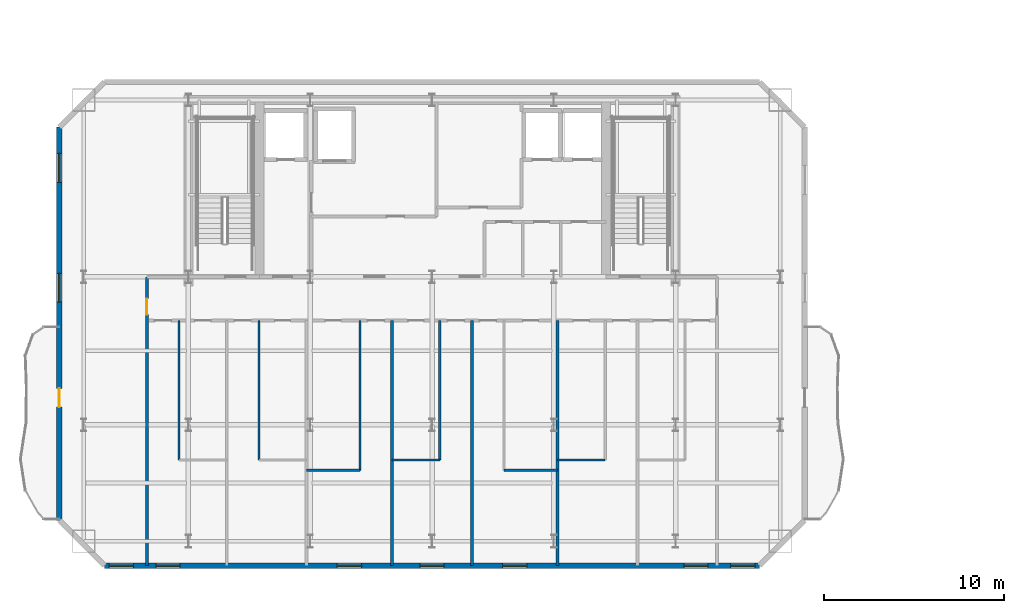
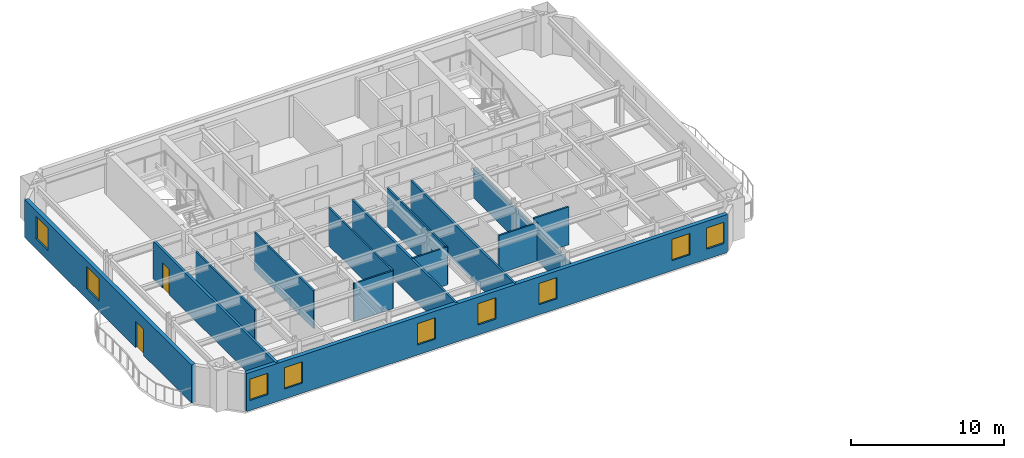
# One storey, part 5 of 14: 14 walls, 9 windows, 2 doors, 11 openings.
"""IFC4 building model written with IfcOpenShell, lengths in metres."""

from ifc_helpers import new_model, si_unit, direction, frame, frame_2d, origin, place, context, subcontext, project, spatial, rectangle, extrude, material, layer, layer_set, type_object, element, fill, save


model = new_model("IFC4")

# Units and contexts
model_context = context("Model", 3, precision=1e-05, world=origin(), true_north=direction((0.0, 1.0)))
body_context = subcontext(model_context, "Body", "Model", "MODEL_VIEW")
ifc_project = project(units=[si_unit("LENGTHUNIT", "METRE"), si_unit("AREAUNIT", "SQUARE_METRE"), si_unit("VOLUMEUNIT", "CUBIC_METRE"), si_unit("PLANEANGLEUNIT", "RADIAN"), si_unit("MASSUNIT", "GRAM", prefix="KILO")], contexts=[model_context])

# Site, building, storey
site_placement = place(None, origin())
site = spatial("IfcSite", under=ifc_project, at=site_placement, CompositionType="ELEMENT")
building_placement = place(site_placement, origin())
building = spatial("IfcBuilding", under=site, at=building_placement, Name="Haevon Station Towers", CompositionType="ELEMENT")
storey_placement = place(building_placement, frame((0.0, 0.0, 179.10009765625)))
storey = spatial("IfcBuildingStorey", under=building, at=storey_placement, Name="L49", CompositionType="ELEMENT", Elevation=179.10009765625)

# Wall, opening, door
ifc_material_1 = material(Name="Gypsum board on steel stud", Category="steel")
ifc_layer_1 = layer(ifc_material_1, 0.179931640625)
ifc_layer_set_1 = layer_set([ifc_layer_1], Name="Gypsum board on steel stud")
wall_type_1 = type_object("IfcWallType", Name="WL-ACU180", PredefinedType="PARTITIONING", material=ifc_layer_set_1)
wall_1_placement = place(storey_placement, frame((21.699951171875, 22.199951171875, 0.0), z_axis=(0.0, 0.0, 1.0), x_axis=(0.0, 1.0, 0.0)))
wall_1 = element("IfcWall", 1, at=wall_1_placement, inside=storey, type_object=wall_type_1, Name="WL-T1PT-L49-03", PredefinedType="PARTITIONING", context=body_context, shape_type="SweptSolid", body=[
    extrude(rectangle(XDim=16.0, YDim=0.179931640625, at=frame_2d((8.0, 0.0))), origin(), (0.0, 0.0, 1.0), 3.02978515625),
])
opening_1_placement = place(wall_1_placement, frame((13.89990234375, 0.0, 0.0)))
opening_1 = element("IfcOpeningElement", 2, at=opening_1_placement, cuts=wall_1, Name="Opening DR-WL-T1PT-L49-03-01", PredefinedType="OPENING", context=body_context, shape_type="SweptSolid", body=[
    extrude(rectangle(XDim=0.89990234375, YDim=2.050048828125, at=frame_2d((0.449951171875, 1.02490234375))), frame((0.0, 0.099853515625, 0.0), z_axis=(0.0, -1.0, 0.0), x_axis=(1.0, 0.0, 0.0)), (0.0, 0.0, 1.0), 0.199951171875),
])
ifc_material_2 = material(Name="Engineered oak timber", Category="wood")
door_type_1 = type_object("IfcDoorType", Name="DR-INT-900", OperationType="NOTDEFINED", PredefinedType="DOOR", material=ifc_material_2)
door_1_placement = place(opening_1_placement, origin())
door_1 = element("IfcDoor", 3, at=door_1_placement, inside=storey, type_object=door_type_1, Name="L49 Tower 1 Room Door 3-1", OperationType="SINGLE_SWING_RIGHT", OverallHeight=2.050048828125, OverallWidth=0.89990234375, PredefinedType="DOOR", context=body_context, shape_type="SweptSolid", body=[
    extrude(rectangle(XDim=0.89990234375, YDim=2.050048828125, at=frame_2d((0.449951171875, 1.02490234375))), frame((0.0, 0.02490234375, 0.0), z_axis=(0.0, -1.0, 0.0), x_axis=(1.0, 0.0, 0.0)), (0.0, 0.0, 1.0), 0.050048828125),
])
fill(opening_1, door_1)

# Wall, openings, windows
ifc_material_3 = material(Name="Precast concrete C45/55", Category="concrete")
ifc_layer_2 = layer(ifc_material_3, 0.300048828125)
ifc_layer_set_2 = layer_set([ifc_layer_2], Name="Precast concrete C45/55")
wall_type_2 = type_object("IfcWallType", Name="WL-EXT-PIER300", PredefinedType="SOLIDWALL", material=ifc_layer_set_2)
wall_2_placement = place(storey_placement, frame((55.64990234375, 22.199951171875, 0.0), z_axis=(0.0, 0.0, 1.0), x_axis=(-1.0, 0.0, 0.0)))
wall_2 = element("IfcWall", 4, at=wall_2_placement, inside=storey, type_object=wall_type_2, Name="WL-T1-L49-S", PredefinedType="SOLIDWALL", context=body_context, shape_type="SweptSolid", body=[
    extrude(rectangle(XDim=36.2998046875, YDim=0.300048828125, at=frame_2d((18.14990234375, 0.0))), origin(), (0.0, 0.0, 1.0), 3.02978515625),
])
opening_2_placement = place(wall_2_placement, frame((34.699951171875, 0.0, 0.800048828125)))
opening_2 = element("IfcOpeningElement", 5, at=opening_2_placement, cuts=wall_2, Name="Opening WN-P135", PredefinedType="OPENING", context=body_context, shape_type="SweptSolid", body=[
    extrude(rectangle(XDim=1.35009765625, YDim=1.699951171875, at=frame_2d((0.675048828125, 0.85009765625))), frame((0.0, 0.159912109375, 0.0), z_axis=(0.0, -1.0, 0.0), x_axis=(1.0, 0.0, 0.0)), (0.0, 0.0, 1.0), 0.320068359375),
])
opening_3_placement = place(wall_2_placement, frame((0.25, 0.0, 0.800048828125)))
opening_3 = element("IfcOpeningElement", 6, at=opening_3_placement, cuts=wall_2, Name="Opening WN-P135", PredefinedType="OPENING", context=body_context, shape_type="SweptSolid", body=[
    extrude(rectangle(XDim=1.35009765625, YDim=1.699951171875, at=frame_2d((0.675048828125, 0.85009765625))), frame((0.0, 0.159912109375, 0.0), z_axis=(0.0, -1.0, 0.0), x_axis=(1.0, 0.0, 0.0)), (0.0, 0.0, 1.0), 0.320068359375),
])
opening_4_placement = place(wall_2_placement, frame((32.104248046875, 0.0, 0.800048828125)))
opening_4 = element("IfcOpeningElement", 7, at=opening_4_placement, cuts=wall_2, Name="Opening WN-P135", PredefinedType="OPENING", context=body_context, shape_type="SweptSolid", body=[
    extrude(rectangle(XDim=1.35009765625, YDim=1.699951171875, at=frame_2d((0.675048828125, 0.85009765625))), frame((0.0, 0.159912109375, 0.0), z_axis=(0.0, -1.0, 0.0), x_axis=(1.0, 0.0, 0.0)), (0.0, 0.0, 1.0), 0.320068359375),
])
opening_5_placement = place(wall_2_placement, frame((22.056884765625, 0.0, 0.800048828125)))
opening_5 = element("IfcOpeningElement", 8, at=opening_5_placement, cuts=wall_2, Name="Opening WN-P135", PredefinedType="OPENING", context=body_context, shape_type="SweptSolid", body=[
    extrude(rectangle(XDim=1.35009765625, YDim=1.699951171875, at=frame_2d((0.675048828125, 0.85009765625))), frame((0.0, 0.159912109375, 0.0), z_axis=(0.0, -1.0, 0.0), x_axis=(1.0, 0.0, 0.0)), (0.0, 0.0, 1.0), 0.320068359375),
])
opening_6_placement = place(wall_2_placement, frame((17.47509765625, 0.0, 0.800048828125)))
opening_6 = element("IfcOpeningElement", 9, at=opening_6_placement, cuts=wall_2, Name="Opening WN-P135", PredefinedType="OPENING", context=body_context, shape_type="SweptSolid", body=[
    extrude(rectangle(XDim=1.35009765625, YDim=1.699951171875, at=frame_2d((0.675048828125, 0.85009765625))), frame((0.0, 0.159912109375, 0.0), z_axis=(0.0, -1.0, 0.0), x_axis=(1.0, 0.0, 0.0)), (0.0, 0.0, 1.0), 0.320068359375),
])
opening_7_placement = place(wall_2_placement, frame((12.89306640625, 0.0, 0.800048828125)))
opening_7 = element("IfcOpeningElement", 10, at=opening_7_placement, cuts=wall_2, Name="Opening WN-P135", PredefinedType="OPENING", context=body_context, shape_type="SweptSolid", body=[
    extrude(rectangle(XDim=1.35009765625, YDim=1.699951171875, at=frame_2d((0.675048828125, 0.85009765625))), frame((0.0, 0.159912109375, 0.0), z_axis=(0.0, -1.0, 0.0), x_axis=(1.0, 0.0, 0.0)), (0.0, 0.0, 1.0), 0.320068359375),
])
opening_8_placement = place(wall_2_placement, frame((2.845703125, 0.0, 0.800048828125)))
opening_8 = element("IfcOpeningElement", 11, at=opening_8_placement, cuts=wall_2, Name="Opening WN-P135", PredefinedType="OPENING", context=body_context, shape_type="SweptSolid", body=[
    extrude(rectangle(XDim=1.35009765625, YDim=1.699951171875, at=frame_2d((0.675048828125, 0.85009765625))), frame((0.0, 0.159912109375, 0.0), z_axis=(0.0, -1.0, 0.0), x_axis=(1.0, 0.0, 0.0)), (0.0, 0.0, 1.0), 0.320068359375),
])
ifc_material_4 = material(Name="Low-E triple glazing in thermally broken aluminium", Category="aluminium")
window_type_1 = type_object("IfcWindowType", Name="WN-P135", PartitioningType="SINGLE_PANEL", PredefinedType="WINDOW", material=ifc_material_4)
window_1_placement = place(opening_2_placement, origin())
window_1 = element("IfcWindow", 12, at=window_1_placement, inside=storey, type_object=window_type_1, Name="WN-T1-L49-S01", OverallHeight=1.699951171875, OverallWidth=1.35009765625, PartitioningType="SINGLE_PANEL", PredefinedType="WINDOW", context=body_context, shape_type="SweptSolid", body=[
    extrude(rectangle(XDim=1.35009765625, YDim=1.699951171875, at=frame_2d((0.675048828125, 0.85009765625))), frame((0.0, 0.030029296875, 0.0), z_axis=(0.0, -1.0, 0.0), x_axis=(1.0, 0.0, 0.0)), (0.0, 0.0, 1.0), 0.06005859375),
])
fill(opening_2, window_1)
window_2_placement = place(opening_3_placement, origin())
window_2 = element("IfcWindow", 13, at=window_2_placement, inside=storey, type_object=window_type_1, Name="WN-T1-L49-S02", OverallHeight=1.699951171875, OverallWidth=1.35009765625, PartitioningType="SINGLE_PANEL", PredefinedType="WINDOW", context=body_context, shape_type="SweptSolid", body=[
    extrude(rectangle(XDim=1.35009765625, YDim=1.699951171875, at=frame_2d((0.675048828125, 0.85009765625))), frame((0.0, 0.030029296875, 0.0), z_axis=(0.0, -1.0, 0.0), x_axis=(1.0, 0.0, 0.0)), (0.0, 0.0, 1.0), 0.06005859375),
])
fill(opening_3, window_2)
window_3_placement = place(opening_4_placement, origin())
window_3 = element("IfcWindow", 14, at=window_3_placement, inside=storey, type_object=window_type_1, Name="WN-T1-L49-S03", OverallHeight=1.699951171875, OverallWidth=1.35009765625, PartitioningType="SINGLE_PANEL", PredefinedType="WINDOW", context=body_context, shape_type="SweptSolid", body=[
    extrude(rectangle(XDim=1.35009765625, YDim=1.699951171875, at=frame_2d((0.675048828125, 0.85009765625))), frame((0.0, 0.030029296875, 0.0), z_axis=(0.0, -1.0, 0.0), x_axis=(1.0, 0.0, 0.0)), (0.0, 0.0, 1.0), 0.06005859375),
])
fill(opening_4, window_3)
window_4_placement = place(opening_5_placement, origin())
window_4 = element("IfcWindow", 15, at=window_4_placement, inside=storey, type_object=window_type_1, Name="WN-T1-L49-S04", OverallHeight=1.699951171875, OverallWidth=1.35009765625, PartitioningType="SINGLE_PANEL", PredefinedType="WINDOW", context=body_context, shape_type="SweptSolid", body=[
    extrude(rectangle(XDim=1.35009765625, YDim=1.699951171875, at=frame_2d((0.675048828125, 0.85009765625))), frame((0.0, 0.030029296875, 0.0), z_axis=(0.0, -1.0, 0.0), x_axis=(1.0, 0.0, 0.0)), (0.0, 0.0, 1.0), 0.06005859375),
])
fill(opening_5, window_4)
window_5_placement = place(opening_6_placement, origin())
window_5 = element("IfcWindow", 16, at=window_5_placement, inside=storey, type_object=window_type_1, Name="WN-T1-L49-S05", OverallHeight=1.699951171875, OverallWidth=1.35009765625, PartitioningType="SINGLE_PANEL", PredefinedType="WINDOW", context=body_context, shape_type="SweptSolid", body=[
    extrude(rectangle(XDim=1.35009765625, YDim=1.699951171875, at=frame_2d((0.675048828125, 0.85009765625))), frame((0.0, 0.030029296875, 0.0), z_axis=(0.0, -1.0, 0.0), x_axis=(1.0, 0.0, 0.0)), (0.0, 0.0, 1.0), 0.06005859375),
])
fill(opening_6, window_5)
window_6_placement = place(opening_7_placement, origin())
window_6 = element("IfcWindow", 17, at=window_6_placement, inside=storey, type_object=window_type_1, Name="WN-T1-L49-S06", OverallHeight=1.699951171875, OverallWidth=1.35009765625, PartitioningType="SINGLE_PANEL", PredefinedType="WINDOW", context=body_context, shape_type="SweptSolid", body=[
    extrude(rectangle(XDim=1.35009765625, YDim=1.699951171875, at=frame_2d((0.675048828125, 0.85009765625))), frame((0.0, 0.030029296875, 0.0), z_axis=(0.0, -1.0, 0.0), x_axis=(1.0, 0.0, 0.0)), (0.0, 0.0, 1.0), 0.06005859375),
])
fill(opening_7, window_6)
window_7_placement = place(opening_8_placement, origin())
window_7 = element("IfcWindow", 18, at=window_7_placement, inside=storey, type_object=window_type_1, Name="WN-T1-L49-S07", OverallHeight=1.699951171875, OverallWidth=1.35009765625, PartitioningType="SINGLE_PANEL", PredefinedType="WINDOW", context=body_context, shape_type="SweptSolid", body=[
    extrude(rectangle(XDim=1.35009765625, YDim=1.699951171875, at=frame_2d((0.675048828125, 0.85009765625))), frame((0.0, 0.030029296875, 0.0), z_axis=(0.0, -1.0, 0.0), x_axis=(1.0, 0.0, 0.0)), (0.0, 0.0, 1.0), 0.06005859375),
])
fill(opening_8, window_7)

# Wall, openings, door, windows
wall_3_placement = place(storey_placement, frame((16.85009765625, 24.699951171875, 0.0), z_axis=(0.0, 0.0, 1.0), x_axis=(0.0, 1.0, 0.0)))
wall_3 = element("IfcWall", 19, at=wall_3_placement, inside=storey, type_object=wall_type_2, Name="WL-T1-L49-W", PredefinedType="SOLIDWALL", context=body_context, shape_type="SweptSolid", body=[
    extrude(rectangle(XDim=21.800048828125, YDim=0.300048828125, at=frame_2d((10.89990234375, 0.0))), origin(), (0.0, 0.0, 1.0), 3.02978515625),
])
opening_9_placement = place(wall_3_placement, frame((6.27490234375, 0.0, 0.0)))
opening_9 = element("IfcOpeningElement", 20, at=opening_9_placement, cuts=wall_3, Name="Opening DR-T1-SCAL-L49-W", PredefinedType="OPENING", context=body_context, shape_type="SweptSolid", body=[
    extrude(rectangle(XDim=1.050048828125, YDim=2.10009765625, at=frame_2d((0.52490234375, 1.050048828125))), frame((0.0, 0.159912109375, 0.0), z_axis=(0.0, -1.0, 0.0), x_axis=(1.0, 0.0, 0.0)), (0.0, 0.0, 1.0), 0.320068359375),
])
opening_10_placement = place(wall_3_placement, frame((12.093017578125, 0.0, 0.800048828125)))
opening_10 = element("IfcOpeningElement", 21, at=opening_10_placement, cuts=wall_3, Name="Opening WN-END160", PredefinedType="OPENING", context=body_context, shape_type="SweptSolid", body=[
    extrude(rectangle(XDim=1.60009765625, YDim=1.800048828125, at=frame_2d((0.800048828125, 0.89990234375))), frame((0.0, 0.159912109375, 0.0), z_axis=(0.0, -1.0, 0.0), x_axis=(1.0, 0.0, 0.0)), (0.0, 0.0, 1.0), 0.320068359375),
])
opening_11_placement = place(wall_3_placement, frame((18.735595703125, 0.0, 0.800048828125)))
opening_11 = element("IfcOpeningElement", 22, at=opening_11_placement, cuts=wall_3, Name="Opening WN-END160", PredefinedType="OPENING", context=body_context, shape_type="SweptSolid", body=[
    extrude(rectangle(XDim=1.60009765625, YDim=1.800048828125, at=frame_2d((0.800048828125, 0.89990234375))), frame((0.0, 0.159912109375, 0.0), z_axis=(0.0, -1.0, 0.0), x_axis=(1.0, 0.0, 0.0)), (0.0, 0.0, 1.0), 0.320068359375),
])
ifc_material_5 = material(Name="Thermally broken anodised aluminium and laminated safety glass", Category="aluminium")
door_type_2 = type_object("IfcDoorType", Name="DR-BALC-1050", OperationType="NOTDEFINED", PredefinedType="DOOR", material=ifc_material_5)
door_2_placement = place(opening_9_placement, origin())
door_2 = element("IfcDoor", 23, at=door_2_placement, inside=storey, type_object=door_type_2, Name="Tower 1 L49 West Scalloped Balcony Door", OperationType="SINGLE_SWING_LEFT", OverallHeight=2.10009765625, OverallWidth=1.050048828125, PredefinedType="DOOR", context=body_context, shape_type="SweptSolid", body=[
    extrude(rectangle(XDim=1.050048828125, YDim=2.10009765625, at=frame_2d((0.52490234375, 1.050048828125))), frame((0.0, 0.02490234375, 0.0), z_axis=(0.0, -1.0, 0.0), x_axis=(1.0, 0.0, 0.0)), (0.0, 0.0, 1.0), 0.050048828125),
])
fill(opening_9, door_2)
window_type_2 = type_object("IfcWindowType", Name="WN-END160", PartitioningType="SINGLE_PANEL", PredefinedType="WINDOW", material=ifc_material_4)
window_8_placement = place(opening_10_placement, origin())
window_8 = element("IfcWindow", 24, at=window_8_placement, inside=storey, type_object=window_type_2, Name="WN-T1-L49-W01", OverallHeight=1.800048828125, OverallWidth=1.60009765625, PartitioningType="SINGLE_PANEL", PredefinedType="WINDOW", context=body_context, shape_type="SweptSolid", body=[
    extrude(rectangle(XDim=1.60009765625, YDim=1.800048828125, at=frame_2d((0.800048828125, 0.89990234375))), frame((0.0, 0.030029296875, 0.0), z_axis=(0.0, -1.0, 0.0), x_axis=(1.0, 0.0, 0.0)), (0.0, 0.0, 1.0), 0.06005859375),
])
fill(opening_10, window_8)
window_9_placement = place(opening_11_placement, origin())
window_9 = element("IfcWindow", 25, at=window_9_placement, inside=storey, type_object=window_type_2, Name="WN-T1-L49-W02", OverallHeight=1.800048828125, OverallWidth=1.60009765625, PartitioningType="SINGLE_PANEL", PredefinedType="WINDOW", context=body_context, shape_type="SweptSolid", body=[
    extrude(rectangle(XDim=1.60009765625, YDim=1.800048828125, at=frame_2d((0.800048828125, 0.89990234375))), frame((0.0, 0.030029296875, 0.0), z_axis=(0.0, -1.0, 0.0), x_axis=(1.0, 0.0, 0.0)), (0.0, 0.0, 1.0), 0.06005859375),
])
fill(opening_11, window_9)

# Walls
ifc_layer_3 = layer(ifc_material_1, 0.125)
ifc_layer_set_3 = layer_set([ifc_layer_3], Name="Gypsum board on steel stud")
wall_type_3 = type_object("IfcWallType", Name="WL-PRT125", PredefinedType="PARTITIONING", material=ifc_layer_set_3)
for number, where, z_axis, x_axis, name in (
    (26, (23.47998046875, 28.05224609375, 0.0), (0.0, 0.0, 1.0), (0.0, 1.0, 0.0), "WL-T1PT-L49-06"),
    (27, (27.904052734375, 28.05224609375, 0.0), (0.0, 0.0, 1.0), (0.0, 1.0, 0.0), "WL-T1PT-L49-09"),
):
    element("IfcWall", number, at=place(storey_placement, frame(where, z_axis=z_axis, x_axis=x_axis)), inside=storey, type_object=wall_type_3, Name=name, PredefinedType="PARTITIONING", context=body_context, shape_type="SweptSolid", body=[
        extrude(rectangle(XDim=7.727783203125, YDim=0.125, at=frame_2d((3.86376953125, 0.0))), origin(), (0.0, 0.0, 1.0), 3.02978515625),
    ])
wall_4_placement = place(storey_placement, frame((30.548095703125, 27.479248046875, 0.0), z_axis=(0.0, 0.0, 1.0), x_axis=(1.0, 0.0, 0.0)))
element("IfcWall", 28, at=wall_4_placement, inside=storey, type_object=wall_type_3, Name="WL-T1PT-L49-11", PredefinedType="PARTITIONING", context=body_context, shape_type="SweptSolid", body=[
    extrude(rectangle(XDim=2.9599609375, YDim=0.125, at=frame_2d((1.47998046875, 0.0))), origin(), (0.0, 0.0, 1.0), 3.02978515625),
])
wall_5_placement = place(storey_placement, frame((33.508056640625, 27.479248046875, 0.0), z_axis=(0.0, 0.0, 1.0), x_axis=(0.0, 1.0, 0.0)))
element("IfcWall", 29, at=wall_5_placement, inside=storey, type_object=wall_type_3, Name="WL-T1PT-L49-12", PredefinedType="PARTITIONING", context=body_context, shape_type="SweptSolid", body=[
    extrude(rectangle(XDim=8.30078125, YDim=0.125, at=frame_2d((4.150390625, 0.0))), origin(), (0.0, 0.0, 1.0), 3.02978515625),
])
wall_6_placement = place(storey_placement, frame((35.2880859375, 28.05224609375, 0.0), z_axis=(0.0, 0.0, 1.0), x_axis=(1.0, 0.0, 0.0)))
element("IfcWall", 30, at=wall_6_placement, inside=storey, type_object=wall_type_3, Name="WL-T1PT-L49-14", PredefinedType="PARTITIONING", context=body_context, shape_type="SweptSolid", body=[
    extrude(rectangle(XDim=2.643798828125, YDim=0.125, at=frame_2d((1.32177734375, 0.0))), origin(), (0.0, 0.0, 1.0), 3.02978515625),
])
wall_7_placement = place(storey_placement, frame((37.931884765625, 28.05224609375, 0.0), z_axis=(0.0, 0.0, 1.0), x_axis=(0.0, 1.0, 0.0)))
element("IfcWall", 31, at=wall_7_placement, inside=storey, type_object=wall_type_3, Name="WL-T1PT-L49-15", PredefinedType="PARTITIONING", context=body_context, shape_type="SweptSolid", body=[
    extrude(rectangle(XDim=7.727783203125, YDim=0.125, at=frame_2d((3.86376953125, 0.0))), origin(), (0.0, 0.0, 1.0), 3.02978515625),
])
wall_8_placement = place(storey_placement, frame((41.491943359375, 27.479248046875, 0.0), z_axis=(0.0, 0.0, 1.0), x_axis=(1.0, 0.0, 0.0)))
element("IfcWall", 32, at=wall_8_placement, inside=storey, type_object=wall_type_3, Name="WL-T1PT-L49-17", PredefinedType="PARTITIONING", context=body_context, shape_type="SweptSolid", body=[
    extrude(rectangle(XDim=2.9599609375, YDim=0.125, at=frame_2d((1.47998046875, 0.0))), origin(), (0.0, 0.0, 1.0), 3.02978515625),
])
wall_9_placement = place(storey_placement, frame((44.451904296875, 28.05224609375, 0.0), z_axis=(0.0, 0.0, 1.0), x_axis=(1.0, 0.0, 0.0)))
element("IfcWall", 33, at=wall_9_placement, inside=storey, type_object=wall_type_3, Name="WL-T1PT-L49-20", PredefinedType="PARTITIONING", context=body_context, shape_type="SweptSolid", body=[
    extrude(rectangle(XDim=2.64404296875, YDim=0.125, at=frame_2d((1.322021484375, 0.0))), origin(), (0.0, 0.0, 1.0), 3.02978515625),
])
ifc_layer_4 = layer(ifc_material_1, 0.159912109375)
ifc_layer_set_4 = layer_set([ifc_layer_4], Name="Gypsum board on steel stud")
wall_type_4 = type_object("IfcWallType", Name="WL-PRT160", PredefinedType="PARTITIONING", material=ifc_layer_set_4)
for number, where, z_axis, x_axis, name in (
    (34, (35.2880859375, 22.199951171875, 0.0), (0.0, 0.0, 1.0), (0.0, 1.0, 0.0), "WL-T1PT-L49-13"),
    (35, (39.7119140625, 22.199951171875, 0.0), (0.0, 0.0, 1.0), (0.0, 1.0, 0.0), "WL-T1PT-L49-16"),
):
    element("IfcWall", number, at=place(storey_placement, frame(where, z_axis=z_axis, x_axis=x_axis)), inside=storey, type_object=wall_type_4, Name=name, PredefinedType="PARTITIONING", context=body_context, shape_type="SweptSolid", body=[
        extrude(rectangle(XDim=13.580078125, YDim=0.159912109375, at=frame_2d((6.7900390625, 0.0))), origin(), (0.0, 0.0, 1.0), 3.02978515625),
    ])
wall_10_placement = place(storey_placement, frame((44.451904296875, 22.199951171875, 0.0), z_axis=(0.0, 0.0, 1.0), x_axis=(0.0, 1.0, 0.0)))
element("IfcWall", 36, at=wall_10_placement, inside=storey, type_object=wall_type_4, Name="WL-T1PT-L49-19", PredefinedType="PARTITIONING", context=body_context, shape_type="SweptSolid", body=[
    extrude(rectangle(XDim=13.580078125, YDim=0.159912109375, at=frame_2d((6.7900390625, 0.0))), origin(), (0.0, 0.0, 1.0), 2.3798828125),
])

save(model, "model.ifc")
